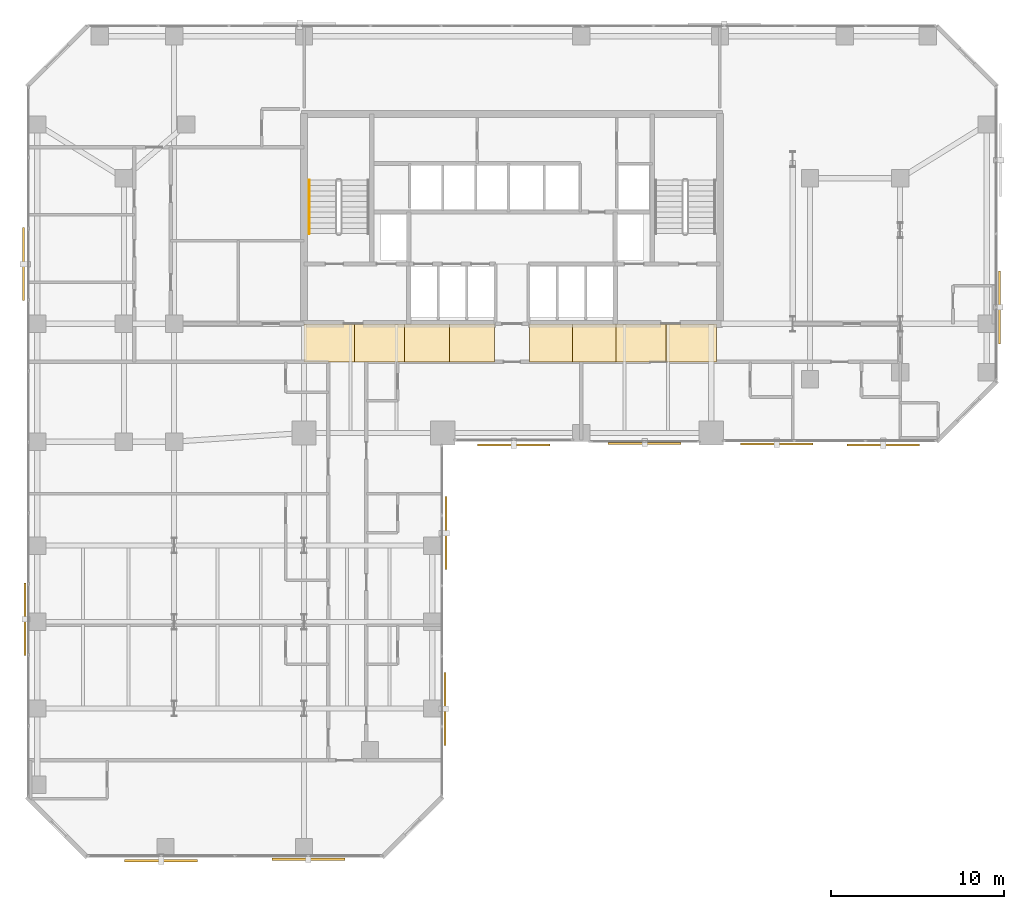
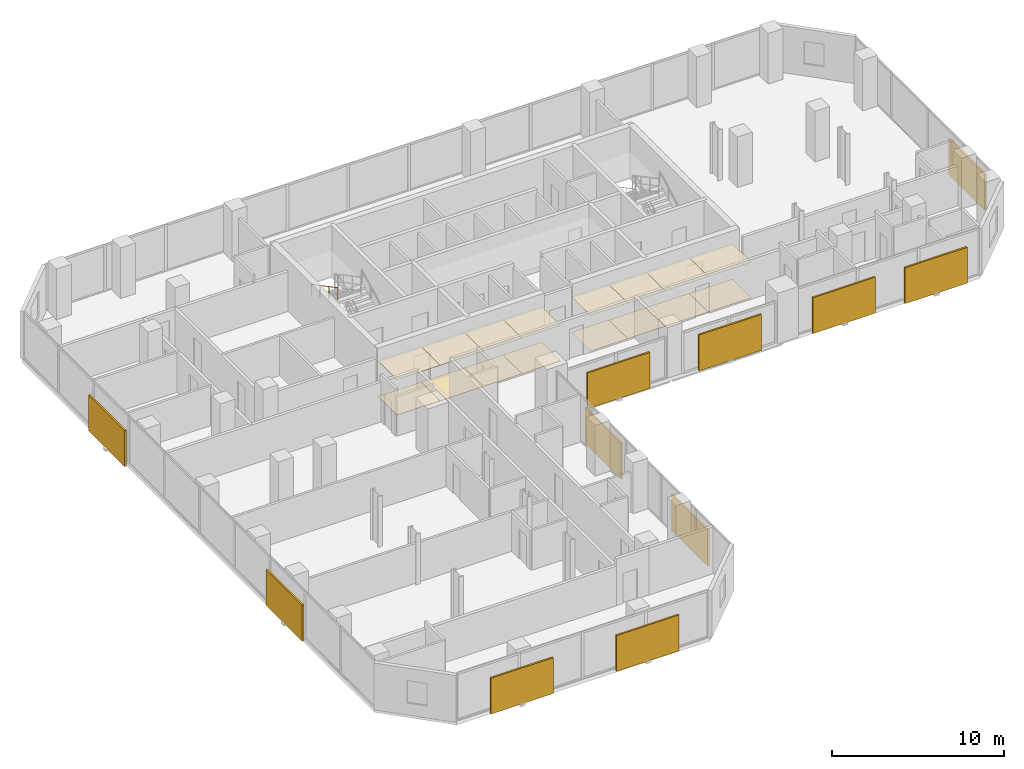
# One storey, part 30 of 31: 16 coverings, 11 shading devices, 1 railing.
"""IFC4 building model written with IfcOpenShell, lengths in metres."""

from ifc_helpers import new_model, si_unit, direction, frame, origin, origin_2d, place, context, subcontext, project, spatial, polyline, rectangle, circle, outline, extrude, material, layer, layer_set, type_object, element, save


model = new_model("IFC4")

# Units and contexts
model_context = context("Model", 3, precision=1e-05, world=origin(), true_north=direction((0.0, 1.0)))
body_context = subcontext(model_context, "Body", "Model", "MODEL_VIEW")
ifc_project = project(units=[si_unit("LENGTHUNIT", "METRE"), si_unit("AREAUNIT", "SQUARE_METRE"), si_unit("VOLUMEUNIT", "CUBIC_METRE"), si_unit("PLANEANGLEUNIT", "RADIAN"), si_unit("MASSUNIT", "GRAM", prefix="KILO")], contexts=[model_context])

# Site, building, storey
site_placement = place(None, origin())
site = spatial("IfcSite", under=ifc_project, at=site_placement, CompositionType="ELEMENT")
building_placement = place(site_placement, origin())
building = spatial("IfcBuilding", under=site, at=building_placement, Name="Catumbela Crestline Tower", CompositionType="ELEMENT")
storey_placement = place(building_placement, frame((0.0, 0.0, 40.2)))
storey = spatial("IfcBuildingStorey", under=building, at=storey_placement, Name="L09", CompositionType="ELEMENT", Elevation=40.2)

# Coverings
ifc_material_1 = material(Name="Mineral-fibre acoustic ceiling")
ifc_layer_1 = layer(ifc_material_1, 0.03, Name="Mineral-fibre acoustic ceiling")
ifc_layer_set_1 = layer_set([ifc_layer_1], Name="Mineral-fibre acoustic ceiling")
covering_type_1 = type_object("IfcCoveringType", Name="CC-AC", PredefinedType="CEILING", material=ifc_layer_set_1)
covering_1_placement = place(storey_placement, frame((0.0, 0.0, 2.52)))
element("IfcCovering", 1, at=covering_1_placement, inside=storey, type_object=covering_type_1, Name="L09 Corridor Acoustic Ceiling Bay 1", PredefinedType="CEILING", context=body_context, shape_type="SweptSolid", body=[
    extrude(outline(polyline([(16.0, 28.6), (18.9, 28.6), (18.9, 30.8), (16.0, 30.8), (16.0, 28.6)])), origin(), (0.0, 0.0, 1.0), 0.03),
])
covering_2_placement = place(storey_placement, frame((0.0, 0.0, 2.52)))
element("IfcCovering", 2, at=covering_2_placement, inside=storey, type_object=covering_type_1, Name="L09 Corridor Acoustic Ceiling Bay 2", PredefinedType="CEILING", context=body_context, shape_type="SweptSolid", body=[
    extrude(outline(polyline([(18.9, 28.6), (21.8, 28.6), (21.8, 30.8), (18.9, 30.8), (18.9, 28.6)])), origin(), (0.0, 0.0, 1.0), 0.03),
])
covering_3_placement = place(storey_placement, frame((0.0, 0.0, 2.52)))
element("IfcCovering", 3, at=covering_3_placement, inside=storey, type_object=covering_type_1, Name="L09 Corridor Acoustic Ceiling Bay 3", PredefinedType="CEILING", context=body_context, shape_type="SweptSolid", body=[
    extrude(outline(polyline([(21.8, 28.6), (24.4, 28.6), (24.4, 30.8), (21.8, 30.8), (21.8, 28.6)])), origin(), (0.0, 0.0, 1.0), 0.03),
])
covering_4_placement = place(storey_placement, frame((0.0, 0.0, 2.52)))
element("IfcCovering", 4, at=covering_4_placement, inside=storey, type_object=covering_type_1, Name="L09 Corridor Acoustic Ceiling Bay 4", PredefinedType="CEILING", context=body_context, shape_type="SweptSolid", body=[
    extrude(outline(polyline([(24.4, 28.6), (27.0, 28.6), (27.0, 30.8), (24.4, 30.8), (24.4, 28.6)])), origin(), (0.0, 0.0, 1.0), 0.03),
])
covering_5_placement = place(storey_placement, frame((0.0, 0.0, 2.52)))
element("IfcCovering", 5, at=covering_5_placement, inside=storey, type_object=covering_type_1, Name="L09 Corridor Acoustic Ceiling Bay 5", PredefinedType="CEILING", context=body_context, shape_type="SweptSolid", body=[
    extrude(outline(polyline([(29.0, 28.6), (31.5, 28.6), (31.5, 30.8), (29.0, 30.8), (29.0, 28.6)])), origin(), (0.0, 0.0, 1.0), 0.03),
])
covering_6_placement = place(storey_placement, frame((0.0, 0.0, 2.52)))
element("IfcCovering", 6, at=covering_6_placement, inside=storey, type_object=covering_type_1, Name="L09 Corridor Acoustic Ceiling Bay 6", PredefinedType="CEILING", context=body_context, shape_type="SweptSolid", body=[
    extrude(outline(polyline([(31.5, 28.6), (34.0, 28.6), (34.0, 30.8), (31.5, 30.8), (31.5, 28.6)])), origin(), (0.0, 0.0, 1.0), 0.03),
])
covering_7_placement = place(storey_placement, frame((0.0, 0.0, 2.52)))
element("IfcCovering", 7, at=covering_7_placement, inside=storey, type_object=covering_type_1, Name="L09 Corridor Acoustic Ceiling Bay 7", PredefinedType="CEILING", context=body_context, shape_type="SweptSolid", body=[
    extrude(outline(polyline([(34.0, 28.6), (36.9, 28.6), (36.9, 30.8), (34.0, 30.8), (34.0, 28.6)])), origin(), (0.0, 0.0, 1.0), 0.03),
])
covering_8_placement = place(storey_placement, frame((0.0, 0.0, 2.52)))
element("IfcCovering", 8, at=covering_8_placement, inside=storey, type_object=covering_type_1, Name="L09 Corridor Acoustic Ceiling Bay 8", PredefinedType="CEILING", context=body_context, shape_type="SweptSolid", body=[
    extrude(outline(polyline([(36.9, 28.6), (39.8, 28.6), (39.8, 30.8), (36.9, 30.8), (36.9, 28.6)])), origin(), (0.0, 0.0, 1.0), 0.03),
])
ifc_material_2 = material(Name="Angolan grey-ochre granite", Category="masonry")
ifc_layer_2 = layer(ifc_material_2, 0.025, Name="Angolan grey-ochre granite")
ifc_layer_set_2 = layer_set([ifc_layer_2], Name="Angolan grey-ochre granite")
covering_type_2 = type_object("IfcCoveringType", Name="CF-GR", PredefinedType="FLOORING", material=ifc_layer_set_2)
covering_9_placement = place(storey_placement, origin())
element("IfcCovering", 9, at=covering_9_placement, inside=storey, type_object=covering_type_2, Name="L09 Corridor Granite Flooring Bay 1", PredefinedType="FLOORING", context=body_context, shape_type="SweptSolid", body=[
    extrude(outline(polyline([(16.0, 28.6), (18.9, 28.6), (18.9, 30.8), (16.0, 30.8), (16.0, 28.6)])), origin(), (0.0, 0.0, 1.0), 0.025),
])
covering_10_placement = place(storey_placement, origin())
element("IfcCovering", 10, at=covering_10_placement, inside=storey, type_object=covering_type_2, Name="L09 Corridor Granite Flooring Bay 2", PredefinedType="FLOORING", context=body_context, shape_type="SweptSolid", body=[
    extrude(outline(polyline([(18.9, 28.6), (21.8, 28.6), (21.8, 30.8), (18.9, 30.8), (18.9, 28.6)])), origin(), (0.0, 0.0, 1.0), 0.025),
])
covering_11_placement = place(storey_placement, origin())
element("IfcCovering", 11, at=covering_11_placement, inside=storey, type_object=covering_type_2, Name="L09 Corridor Granite Flooring Bay 3", PredefinedType="FLOORING", context=body_context, shape_type="SweptSolid", body=[
    extrude(outline(polyline([(21.8, 28.6), (24.4, 28.6), (24.4, 30.8), (21.8, 30.8), (21.8, 28.6)])), origin(), (0.0, 0.0, 1.0), 0.025),
])
covering_12_placement = place(storey_placement, origin())
element("IfcCovering", 12, at=covering_12_placement, inside=storey, type_object=covering_type_2, Name="L09 Corridor Granite Flooring Bay 4", PredefinedType="FLOORING", context=body_context, shape_type="SweptSolid", body=[
    extrude(outline(polyline([(24.4, 28.6), (27.0, 28.6), (27.0, 30.8), (24.4, 30.8), (24.4, 28.6)])), origin(), (0.0, 0.0, 1.0), 0.025),
])
covering_13_placement = place(storey_placement, origin())
element("IfcCovering", 13, at=covering_13_placement, inside=storey, type_object=covering_type_2, Name="L09 Corridor Granite Flooring Bay 5", PredefinedType="FLOORING", context=body_context, shape_type="SweptSolid", body=[
    extrude(outline(polyline([(29.0, 28.6), (31.5, 28.6), (31.5, 30.8), (29.0, 30.8), (29.0, 28.6)])), origin(), (0.0, 0.0, 1.0), 0.025),
])
covering_14_placement = place(storey_placement, origin())
element("IfcCovering", 14, at=covering_14_placement, inside=storey, type_object=covering_type_2, Name="L09 Corridor Granite Flooring Bay 6", PredefinedType="FLOORING", context=body_context, shape_type="SweptSolid", body=[
    extrude(outline(polyline([(31.5, 28.6), (34.0, 28.6), (34.0, 30.8), (31.5, 30.8), (31.5, 28.6)])), origin(), (0.0, 0.0, 1.0), 0.025),
])
covering_15_placement = place(storey_placement, origin())
element("IfcCovering", 15, at=covering_15_placement, inside=storey, type_object=covering_type_2, Name="L09 Corridor Granite Flooring Bay 7", PredefinedType="FLOORING", context=body_context, shape_type="SweptSolid", body=[
    extrude(outline(polyline([(34.0, 28.6), (36.9, 28.6), (36.9, 30.8), (34.0, 30.8), (34.0, 28.6)])), origin(), (0.0, 0.0, 1.0), 0.025),
])
covering_16_placement = place(storey_placement, origin())
element("IfcCovering", 16, at=covering_16_placement, inside=storey, type_object=covering_type_2, Name="L09 Corridor Granite Flooring Bay 8", PredefinedType="FLOORING", context=body_context, shape_type="SweptSolid", body=[
    extrude(outline(polyline([(36.9, 28.6), (39.8, 28.6), (39.8, 30.8), (36.9, 30.8), (36.9, 28.6)])), origin(), (0.0, 0.0, 1.0), 0.025),
])

# Railing
ifc_material_3 = material(Name="Stainless steel EN 1.4401", Category="steel")
railing_type = type_object("IfcRailingType", Name="RH-0900", PredefinedType="HANDRAIL", material=ifc_material_3)
railing_placement = place(storey_placement, frame((16.3, 39.1, 1.9636)))
element("IfcRailing", 17, at=railing_placement, inside=storey, type_object=railing_type, Name="L09 ST-01 stair handrail 2", PredefinedType="HANDRAIL", context=body_context, shape_type="SweptSolid", body=[
    extrude(circle(Radius=0.024, at=origin_2d()), frame((0.0, 0.0, 0.876), z_axis=(0.0, -0.884350731049, 0.466823076222), x_axis=(1.0, 0.0, 0.0)), (0.0, 0.0, 1.0), 3.5054),
    extrude(circle(Radius=0.021, at=origin_2d()), origin(), (0.0, 0.0, 1.0), 0.852),
    extrude(circle(Radius=0.021, at=origin_2d()), frame((0.0, -1.0333, 0.5455)), (0.0, 0.0, 1.0), 0.852),
    extrude(circle(Radius=0.021, at=origin_2d()), frame((0.0, -2.0667, 1.0909)), (0.0, 0.0, 1.0), 0.852),
    extrude(circle(Radius=0.021, at=origin_2d()), frame((0.0, -3.1, 1.6364)), (0.0, 0.0, 1.0), 0.852),
])

# Shading devices
ifc_material_4 = material(Name="Extruded terracotta ceramic", Category="masonry")
shading_device_type_1 = type_object("IfcShadingDeviceType", Name="ST-180", PredefinedType="USERDEFINED", material=ifc_material_4)
for number, where, z_axis, x_axis, name in (
    (18, (16.25, -0.099, -0.1), (0.0, 0.0, 1.0), (1.0, 0.0, 0.0), "L09 Perforated Terracotta Solar Screen 58 (180 mm)"),
    (19, (35.65, 23.901, -0.1), (0.0, 0.0, 1.0), (1.0, 0.0, 0.0), "L09 Perforated Terracotta Solar Screen 62 (180 mm)"),
    (20, (-0.099, 13.75, -0.1), (0.0, 0.0, 1.0), (0.0, -1.0, 0.0), "L09 Perforated Terracotta Solar Screen 70 (180 mm)"),
):
    element("IfcShadingDevice", number, at=place(storey_placement, frame(where, z_axis=z_axis, x_axis=x_axis)), inside=storey, type_object=shading_device_type_1, Name=name, ObjectType="SCREEN", PredefinedType="USERDEFINED", context=body_context, shape_type="SweptSolid", body=[
        extrude(rectangle(XDim=4.2, YDim=0.12, at=origin_2d()), origin(), (0.0, 0.0, 1.0), 2.55),
    ])
shading_device_type_2 = type_object("IfcShadingDeviceType", Name="ST-260", PredefinedType="USERDEFINED", material=ifc_material_4)
for number, where, z_axis, x_axis, name in (
    (21, (24.143, 8.575, -0.1), (0.0, 0.0, 1.0), (0.0, 1.0, 0.0), "L09 Perforated Terracotta Solar Screen 59 (260 mm)"),
    (22, (43.275, 23.857, -0.1), (0.0, 0.0, 1.0), (1.0, 0.0, 0.0), "L09 Perforated Terracotta Solar Screen 63 (260 mm)"),
    (23, (56.143, 31.75, -0.1), (0.0, 0.0, 1.0), (0.0, 1.0, 0.0), "L09 Perforated Terracotta Solar Screen 65 (260 mm)"),
):
    element("IfcShadingDevice", number, at=place(storey_placement, frame(where, z_axis=z_axis, x_axis=x_axis)), inside=storey, type_object=shading_device_type_2, Name=name, ObjectType="SCREEN", PredefinedType="USERDEFINED", context=body_context, shape_type="SweptSolid", body=[
        extrude(rectangle(XDim=4.2, YDim=0.12, at=origin_2d()), origin(), (0.0, 0.0, 1.0), 2.55),
    ])
shading_device_type_3 = type_object("IfcShadingDeviceType", Name="ST-340", PredefinedType="USERDEFINED", material=ifc_material_4)
for number, where, z_axis, x_axis, name in (
    (24, (7.75, -0.187, -0.1), (0.0, 0.0, 1.0), (1.0, 0.0, 0.0), "L09 Perforated Terracotta Solar Screen 57 (340 mm)"),
    (25, (24.187, 18.725, -0.1), (0.0, 0.0, 1.0), (0.0, 1.0, 0.0), "L09 Perforated Terracotta Solar Screen 60 (340 mm)"),
    (26, (28.1, 23.813, -0.1), (0.0, 0.0, 1.0), (1.0, 0.0, 0.0), "L09 Perforated Terracotta Solar Screen 61 (340 mm)"),
    (27, (49.425, 23.813, -0.1), (0.0, 0.0, 1.0), (1.0, 0.0, 0.0), "L09 Perforated Terracotta Solar Screen 64 (340 mm)"),
    (28, (-0.187, 34.25, -0.1), (0.0, 0.0, 1.0), (0.0, -1.0, 0.0), "L09 Perforated Terracotta Solar Screen 69 (340 mm)"),
):
    element("IfcShadingDevice", number, at=place(storey_placement, frame(where, z_axis=z_axis, x_axis=x_axis)), inside=storey, type_object=shading_device_type_3, Name=name, ObjectType="SCREEN", PredefinedType="USERDEFINED", context=body_context, shape_type="SweptSolid", body=[
        extrude(rectangle(XDim=4.2, YDim=0.12, at=origin_2d()), origin(), (0.0, 0.0, 1.0), 2.55),
    ])

save(model, "model.ifc")
